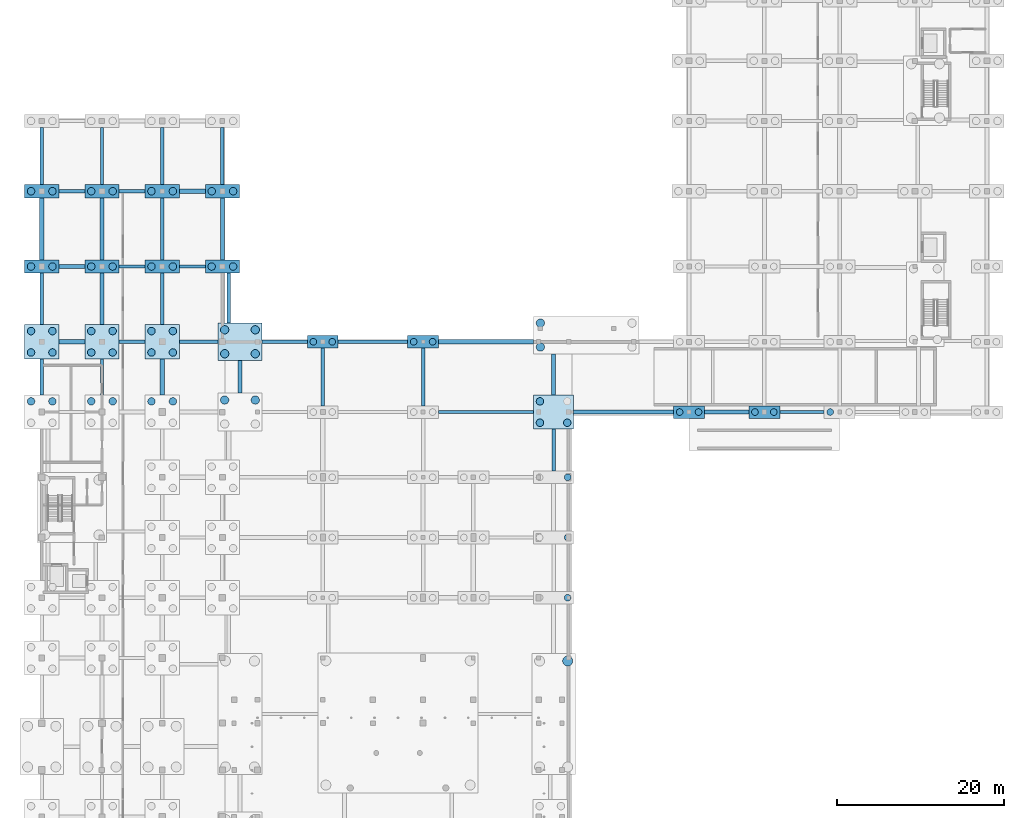
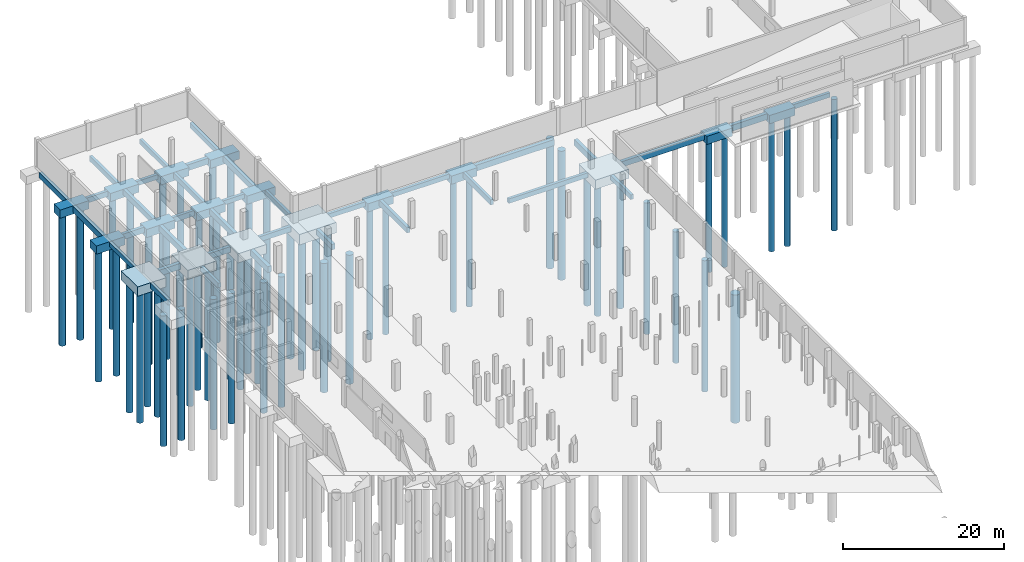
# One storey, part 4 of 34: 58 piles, 53 footings.
"""IFC4 building model written with IfcOpenShell, lengths in metres."""

import ifcopenshell
import ifcopenshell.guid

model = None  # the IFC model being written
_history = None  # IfcOwnerHistory: only IFC2X3 demands one
_inside = {}  # id of a spatial element -> (the spatial element, [elements in it])
_under = {}  # id of a project, library or spatial element -> (it, [spatial elements below it])
_declared = {}  # id of a project -> (the project, [libraries it declares])
_typed = {}  # id of a type object -> (the type object, [elements of that type])
_made_of = {}  # id of a material, layer set ... -> (it, [elements and type objects made of it])


def new_model(schema):
    """Start an empty IFC model of exactly this schema.

    Asked for "IFC4X3", IfcOpenShell would pick the latest addendum, in which some entities
    have other attributes; the version numbers below select the first issue.
    IFC2X3 requires an IfcOwnerHistory on every rooted entity: one is made here for all.
    """
    global model, _history
    if schema == "IFC4X3":
        model = ifcopenshell.file(schema_version=(4, 3, 0, 0))
    else:
        model = ifcopenshell.file(schema=schema)
    _inside.clear()
    _under.clear()
    _declared.clear()
    _typed.clear()
    _made_of.clear()
    _history = None
    if model.schema == "IFC2X3":
        org = make("IfcOrganization", Name="unknown")
        user = make(
            "IfcPersonAndOrganization",
            ThePerson=make("IfcPerson", FamilyName="unknown"),
            TheOrganization=org,
        )
        app = make(
            "IfcApplication",
            ApplicationDeveloper=org,
            Version="unknown",
            ApplicationFullName="unknown",
            ApplicationIdentifier="unknown",
        )
        _history = make(
            "IfcOwnerHistory",
            OwningUser=user,
            OwningApplication=app,
            ChangeAction="ADDED",
            CreationDate=0,
        )
    return model


def make(cls, **values):
    """One entity of the class cls with the attributes given. An attribute that is None is left unset."""
    return model.create_entity(
        cls, **{name: value for name, value in values.items() if value is not None}
    )


def rooted(cls, **values):
    """An entity with a GlobalId (a new one), such as an element, a storey or a relation."""
    return make(cls, GlobalId=ifcopenshell.guid.new(), OwnerHistory=_history, **values)


def si_unit(unit_type, name, prefix=None):
    """IfcSIUnit, for example si_unit("LENGTHUNIT", "METRE", prefix="MILLI")."""
    return make("IfcSIUnit", UnitType=unit_type, Prefix=prefix, Name=name)


def assignment(units):
    """IfcUnitAssignment: the units of a project."""
    return None if units is None else make("IfcUnitAssignment", Units=units)


def point(xyz):
    """IfcCartesianPoint."""
    return None if xyz is None else make("IfcCartesianPoint", Coordinates=xyz)


def direction(xyz):
    """IfcDirection."""
    return None if xyz is None else make("IfcDirection", DirectionRatios=xyz)


def frame(location, z_axis=None, x_axis=None):
    """IfcAxis2Placement3D, a coordinate frame: its origin and axes. An axis left out is left unset."""
    return make(
        "IfcAxis2Placement3D",
        Location=point(location),
        Axis=direction(z_axis),
        RefDirection=direction(x_axis),
    )


def frame_2d(location, x_axis=None):
    """IfcAxis2Placement2D, a coordinate frame in the plane: its origin and x axis."""
    return make(
        "IfcAxis2Placement2D", Location=point(location), RefDirection=direction(x_axis)
    )


def origin():
    """The frame at (0, 0, 0) with its axes left unset."""
    return frame((0.0, 0.0, 0.0))


def origin_2d():
    """The frame at (0, 0) in the plane with its x axis left unset."""
    return frame_2d((0.0, 0.0))


def place(relative_to, where):
    """IfcLocalPlacement: puts the frame where relative to a parent placement (None: the world)."""
    return make(
        "IfcLocalPlacement", PlacementRelTo=relative_to, RelativePlacement=where
    )


def context(
    kind, dimensions, precision=None, world=None, true_north=None, identifier=None
):
    """IfcGeometricRepresentationContext, for example the 3D "Model" context."""
    return make(
        "IfcGeometricRepresentationContext",
        ContextIdentifier=identifier,
        ContextType=kind,
        CoordinateSpaceDimension=dimensions,
        Precision=precision,
        WorldCoordinateSystem=world,
        TrueNorth=true_north,
    )


def subcontext(parent, identifier, kind, view, scale=None):
    """IfcGeometricRepresentationSubContext, for example "Body" below "Model"."""
    return make(
        "IfcGeometricRepresentationSubContext",
        ContextIdentifier=identifier,
        ContextType=kind,
        ParentContext=parent,
        TargetScale=scale,
        TargetView=view,
    )


def project(units=None, contexts=None):
    """IfcProject with its units and contexts."""
    return rooted(
        "IfcProject",
        Name="project",
        RepresentationContexts=contexts,
        UnitsInContext=assignment(units),
    )


def spatial(cls, under=None, at=None, **own):
    """A site, building, storey or space (cls), placed at a placement, below another one or the project."""
    s = rooted(cls, ObjectPlacement=at, **own)
    if under is not None:
        _under.setdefault(under.id(), (under, []))[1].append(s)
    return s


def profile(cls, at=None, kind="AREA", **sizes):
    """A parametric profile (cls). Its sizes go by their IFC names, for example OverallWidth=200.0."""
    return make(cls, ProfileType=kind, Position=at, **sizes)


def rectangle(**sizes):
    """IfcRectangleProfileDef."""
    return profile("IfcRectangleProfileDef", **sizes)


def circle(**sizes):
    """IfcCircleProfileDef."""
    return profile("IfcCircleProfileDef", **sizes)


def extrude(swept, where, along, depth):
    """IfcExtrudedAreaSolid: the profile swept, set in the frame where, extruded along a direction by depth."""
    return make(
        "IfcExtrudedAreaSolid",
        SweptArea=swept,
        Position=where,
        ExtrudedDirection=direction(along),
        Depth=depth,
    )


def shape(context_of_items, identifier, shape_type, items):
    """IfcShapeRepresentation: the items that make up one representation, for example the "Body"."""
    return make(
        "IfcShapeRepresentation",
        ContextOfItems=context_of_items,
        RepresentationIdentifier=identifier,
        RepresentationType=shape_type,
        Items=items,
    )


def material(Name=None, Category=None):
    """IfcMaterial."""
    return make("IfcMaterial", Name=Name, Category=Category)


def material_profile(
    of_material, cross_section, Name=None, Category=None, Priority=None
):
    """IfcMaterialProfile: a cross section and its material."""
    return make(
        "IfcMaterialProfile",
        Name=Name,
        Material=of_material,
        Profile=cross_section,
        Priority=Priority,
        Category=Category,
    )


def profile_set(profiles, Name=None, composite=None):
    """IfcMaterialProfileSet."""
    return make(
        "IfcMaterialProfileSet",
        Name=Name,
        MaterialProfiles=profiles,
        CompositeProfile=composite,
    )


def made_of(thing, what):
    """Note that an element or type object is made of a material, layer set ...; save() writes the relation."""
    if what is not None:
        _made_of.setdefault(what.id(), (what, []))[1].append(thing)
    return thing


def type_object(cls, material=None, **own):
    """A type object (cls), such as IfcWallType, which elements share."""
    return made_of(rooted(cls, **own), material)


def element(
    cls,
    number,
    at=None,
    inside=None,
    cuts=None,
    type_object=None,
    material=None,
    context=None,
    identifier="Body",
    shape_type=None,
    held_by="IfcProductDefinitionShape",
    body=None,
    shapes=None,
    **own,
):
    """One element of the class cls, such as IfcWall. Its Tag is "e" and its number.

    at: its placement. inside: the storey or other place that contains it. cuts: it is an
    opening in that element (IfcRelVoidsElement). A single representation is given by context,
    identifier, shape_type and body (its items); several are given by shapes. held_by: the class
    of the entity that holds the representations. save() writes the other relations.
    """
    e = rooted(cls, Tag="e%d" % number, ObjectPlacement=at, **own)
    if body is not None:
        shapes = [shape(context, identifier, shape_type, body)]
    if shapes is not None:
        e.Representation = make(held_by, Representations=shapes)
    if inside is not None:
        _inside.setdefault(inside.id(), (inside, []))[1].append(e)
    if cuts is not None:
        rooted(
            "IfcRelVoidsElement", RelatingBuildingElement=cuts, RelatedOpeningElement=e
        )
    if type_object is not None:
        _typed.setdefault(type_object.id(), (type_object, []))[1].append(e)
    return made_of(e, material)


def aggregate(whole, parts):
    """IfcRelAggregates: a whole, such as a stair, and the parts it consists of."""
    return rooted("IfcRelAggregates", RelatingObject=whole, RelatedObjects=parts)


def save(model, path):
    """Write the relations noted so far, then the file.

    IfcRelAggregates (storeys below a building ...), IfcRelContainedInSpatialStructure (elements
    in a storey), IfcRelDefinesByType, IfcRelAssociatesMaterial and IfcRelDeclares: one each for
    every whole, place, type object, material and project.
    """
    for whole, parts in _under.values():
        aggregate(whole, parts)
    for where, things in _inside.values():
        rooted(
            "IfcRelContainedInSpatialStructure",
            RelatedElements=things,
            RelatingStructure=where,
        )
    for kind, things in _typed.values():
        rooted("IfcRelDefinesByType", RelatedObjects=things, RelatingType=kind)
    for what, things in _made_of.values():
        rooted("IfcRelAssociatesMaterial", RelatedObjects=things, RelatingMaterial=what)
    for by, libraries in _declared.values():
        rooted("IfcRelDeclares", RelatingContext=by, RelatedDefinitions=libraries)
    model.write(path)


model = new_model("IFC4")

# Units and contexts
model_context = context("Model", 3, precision=1e-05, world=origin(), true_north=direction((0.0, 1.0)))
body_context = subcontext(model_context, "Body", "Model", "MODEL_VIEW")
ifc_project = project(units=[si_unit("LENGTHUNIT", "METRE"), si_unit("AREAUNIT", "SQUARE_METRE"), si_unit("VOLUMEUNIT", "CUBIC_METRE"), si_unit("PLANEANGLEUNIT", "RADIAN"), si_unit("MASSUNIT", "GRAM", prefix="KILO")], contexts=[model_context])

# Site, building, storey
site_placement = place(None, origin())
site = spatial("IfcSite", under=ifc_project, at=site_placement, CompositionType="ELEMENT")
building_placement = place(site_placement, origin())
building = spatial("IfcBuilding", under=site, at=building_placement, Name="Vinh Khe Railworks Police Headquarters", CompositionType="ELEMENT")
storey_placement = place(building_placement, frame((0.0, 0.0, -4.199951171875)))
storey = spatial("IfcBuildingStorey", under=building, at=storey_placement, Name="B1", CompositionType="ELEMENT", Elevation=-4.199951171875)

# Piles
ifc_material = material(Name="Concrete C35/45 (B35)", Category="concrete")
ifc_material_profile_1 = material_profile(ifc_material, circle(Radius=0.5, at=origin_2d()), Name="BORED PILE D1000")
ifc_profile_set_1 = profile_set([ifc_material_profile_1], Name="Concrete C35/45 (B35)")
pile_type_1 = type_object("IfcPileType", Name="Bored Pile D1000", PredefinedType="BORED", material=ifc_profile_set_1)
for number, where, z_axis, x_axis, name in (
    (1, (22.469970703125, 97.429931640625, -1.949951171875), (0.0, 0.0, -1.0), (1.0, 0.0, 0.0), "Bored Pile BP100-174"),
    (2, (26.1298828125, 97.429931640625, -1.949951171875), (0.0, 0.0, -1.0), (1.0, 0.0, 0.0), "Bored Pile BP100-176"),
    (3, (22.469970703125, 102.969970703125, -1.949951171875), (0.0, 0.0, -1.0), (1.0, 0.0, 0.0), "Bored Pile BP100-177"),
    (4, (22.469970703125, 105.830078125, -1.949951171875), (0.0, 0.0, -1.0), (1.0, 0.0, 0.0), "Bored Pile BP100-178"),
    (5, (26.1298828125, 102.969970703125, -1.949951171875), (0.0, 0.0, -1.0), (1.0, 0.0, 0.0), "Bored Pile BP100-179"),
    (6, (26.1298828125, 105.830078125, -1.949951171875), (0.0, 0.0, -1.0), (1.0, 0.0, 0.0), "Bored Pile BP100-180"),
    (7, (60.219970703125, 103.77001953125, -1.949951171875), (0.0, 0.0, -1.0), (1.0, 0.0, 0.0), "Bored Pile BP100-255"),
    (8, (60.219970703125, 106.6298828125, -1.949951171875), (0.0, 0.0, -1.0), (1.0, 0.0, 0.0), "Bored Pile BP100-256"),
):
    element("IfcPile", number, at=place(storey_placement, frame(where, z_axis=z_axis, x_axis=x_axis)), inside=storey, type_object=pile_type_1, Name=name, PredefinedType="BORED", context=body_context, shape_type="SweptSolid", body=[
        extrude(circle(Radius=0.5, at=origin_2d()), origin(), (0.0, 0.0, 1.0), 19.60009765625),
    ])
ifc_material_profile_2 = material_profile(ifc_material, circle(Radius=0.60009765625, at=origin_2d()), Name="BORED PILE D1200")
ifc_profile_set_2 = profile_set([ifc_material_profile_2], Name="Concrete C35/45 (B35)")
pile_type_2 = type_object("IfcPileType", Name="Bored Pile D1200", PredefinedType="BORED", material=ifc_profile_set_2)
pile_placement = place(storey_placement, frame((63.47998046875, 66.22998046875, -2.10009765625), z_axis=(0.0, 0.0, -1.0), x_axis=(1.0, 0.0, 0.0)))
element("IfcPile", 9, at=pile_placement, inside=storey, type_object=pile_type_2, Name="Bored Pile BP120-244", PredefinedType="BORED", context=body_context, shape_type="SweptSolid", body=[
    extrude(circle(Radius=0.60009765625, at=origin_2d()), origin(), (0.0, 0.0, 1.0), 19.449951171875),
])
ifc_material_profile_3 = material_profile(ifc_material, circle(Radius=0.39990234375, at=origin_2d()), Name="BORED PILE D800")
ifc_profile_set_3 = profile_set([ifc_material_profile_3], Name="Concrete C35/45 (B35)")
pile_type_3 = type_object("IfcPileType", Name="Bored Pile D800", PredefinedType="BORED", material=ifc_profile_set_3)
for number, where, z_axis, x_axis, name in (
    (10, (33.070068359375, 104.39990234375, -1.60009765625), (0.0, 0.0, -1.0), (1.0, 0.0, 0.0), "Bored Pile BP80-205"),
    (11, (35.330078125, 104.39990234375, -1.60009765625), (0.0, 0.0, -1.0), (1.0, 0.0, 0.0), "Bored Pile BP80-206"),
    (12, (45.070068359375, 104.39990234375, -1.60009765625), (0.0, 0.0, -1.0), (1.0, 0.0, 0.0), "Bored Pile BP80-221"),
    (13, (47.330078125, 104.39990234375, -1.60009765625), (0.0, 0.0, -1.0), (1.0, 0.0, 0.0), "Bored Pile BP80-222"),
    (14, (63.47998046875, 73.800048828125, -1.60009765625), (0.0, 0.0, -1.0), (1.0, 0.0, 0.0), "Bored Pile BP80-246"),
    (15, (63.47998046875, 81.0, -1.60009765625), (0.0, 0.0, -1.0), (1.0, 0.0, 0.0), "Bored Pile BP80-248"),
    (16, (63.47998046875, 88.199951171875, -1.60009765625), (0.0, 0.0, -1.0), (1.0, 0.0, 0.0), "Bored Pile BP80-250"),
    (17, (76.8701171875, 96.0, -1.60009765625), (0.0, 0.0, -1.0), (1.0, 0.0, 0.0), "Bored Pile BP80-259"),
    (18, (79.1298828125, 96.0, -1.60009765625), (0.0, 0.0, -1.0), (1.0, 0.0, 0.0), "Bored Pile BP80-260"),
    (19, (85.8701171875, 96.0, -1.60009765625), (0.0, 0.0, -1.0), (1.0, 0.0, 0.0), "Bored Pile BP80-279"),
    (20, (88.1298828125, 96.0, -1.60009765625), (0.0, 0.0, -1.0), (1.0, 0.0, 0.0), "Bored Pile BP80-280"),
    (21, (94.8701171875, 96.0, -1.60009765625), (0.0, 0.0, -1.0), (1.0, 0.0, 0.0), "Bored Pile BP80-299"),
):
    element("IfcPile", number, at=place(storey_placement, frame(where, z_axis=z_axis, x_axis=x_axis)), inside=storey, type_object=pile_type_3, Name=name, PredefinedType="BORED", context=body_context, shape_type="SweptSolid", body=[
        extrude(circle(Radius=0.39990234375, at=origin_2d()), origin(), (0.0, 0.0, 1.0), 19.949951171875),
    ])
ifc_material_profile_4 = material_profile(ifc_material, circle(Radius=0.449951171875, at=origin_2d()), Name="BORED PILE D900")
ifc_profile_set_4 = profile_set([ifc_material_profile_4], Name="Concrete C35/45 (B35)")
pile_type_4 = type_object("IfcPileType", Name="Bored Pile D900", PredefinedType="BORED", material=ifc_profile_set_4)
for number, where, z_axis, x_axis, name in (
    (22, (-0.679931640625, 97.280029296875, -1.75), (0.0, 0.0, -1.0), (1.0, 0.0, 0.0), "Bored Pile BP90-036"),
    (23, (1.8798828125, 97.280029296875, -1.75), (0.0, 0.0, -1.0), (1.0, 0.0, 0.0), "Bored Pile BP90-038"),
    (24, (-0.679931640625, 103.1201171875, -1.75), (0.0, 0.0, -1.0), (1.0, 0.0, 0.0), "Bored Pile BP90-039"),
    (25, (-0.679931640625, 105.679931640625, -1.75), (0.0, 0.0, -1.0), (1.0, 0.0, 0.0), "Bored Pile BP90-040"),
    (26, (1.8798828125, 103.1201171875, -1.75), (0.0, 0.0, -1.0), (1.0, 0.0, 0.0), "Bored Pile BP90-041"),
    (27, (1.8798828125, 105.679931640625, -1.75), (0.0, 0.0, -1.0), (1.0, 0.0, 0.0), "Bored Pile BP90-042"),
):
    element("IfcPile", number, at=place(storey_placement, frame(where, z_axis=z_axis, x_axis=x_axis)), inside=storey, type_object=pile_type_4, Name=name, PredefinedType="BORED", context=body_context, shape_type="SweptSolid", body=[
        extrude(circle(Radius=0.449951171875, at=origin_2d()), origin(), (0.0, 0.0, 1.0), 19.800048828125),
    ])
for number, where, z_axis, x_axis, name in (
    (28, (-0.679931640625, 113.39990234375, -1.60009765625), (0.0, 0.0, -1.0), (1.0, 0.0, 0.0), "Bored Pile BP90-043"),
    (29, (1.8798828125, 113.39990234375, -1.60009765625), (0.0, 0.0, -1.0), (1.0, 0.0, 0.0), "Bored Pile BP90-044"),
    (30, (-0.679931640625, 122.39990234375, -1.60009765625), (0.0, 0.0, -1.0), (1.0, 0.0, 0.0), "Bored Pile BP90-045"),
    (31, (1.8798828125, 122.39990234375, -1.60009765625), (0.0, 0.0, -1.0), (1.0, 0.0, 0.0), "Bored Pile BP90-046"),
):
    element("IfcPile", number, at=place(storey_placement, frame(where, z_axis=z_axis, x_axis=x_axis)), inside=storey, type_object=pile_type_4, Name=name, PredefinedType="BORED", context=body_context, shape_type="SweptSolid", body=[
        extrude(circle(Radius=0.449951171875, at=origin_2d()), origin(), (0.0, 0.0, 1.0), 19.949951171875),
    ])
for number, where, z_axis, x_axis, name in (
    (32, (6.52001953125, 97.280029296875, -1.75), (0.0, 0.0, -1.0), (1.0, 0.0, 0.0), "Bored Pile BP90-076"),
    (33, (9.080078125, 97.280029296875, -1.75), (0.0, 0.0, -1.0), (1.0, 0.0, 0.0), "Bored Pile BP90-078"),
    (34, (6.52001953125, 103.1201171875, -1.75), (0.0, 0.0, -1.0), (1.0, 0.0, 0.0), "Bored Pile BP90-079"),
    (35, (6.52001953125, 105.679931640625, -1.75), (0.0, 0.0, -1.0), (1.0, 0.0, 0.0), "Bored Pile BP90-080"),
    (36, (9.080078125, 103.1201171875, -1.75), (0.0, 0.0, -1.0), (1.0, 0.0, 0.0), "Bored Pile BP90-081"),
    (37, (9.080078125, 105.679931640625, -1.75), (0.0, 0.0, -1.0), (1.0, 0.0, 0.0), "Bored Pile BP90-082"),
):
    element("IfcPile", number, at=place(storey_placement, frame(where, z_axis=z_axis, x_axis=x_axis)), inside=storey, type_object=pile_type_4, Name=name, PredefinedType="BORED", context=body_context, shape_type="SweptSolid", body=[
        extrude(circle(Radius=0.449951171875, at=origin_2d()), origin(), (0.0, 0.0, 1.0), 19.800048828125),
    ])
for number, where, z_axis, x_axis, name in (
    (38, (6.52001953125, 113.39990234375, -1.60009765625), (0.0, 0.0, -1.0), (1.0, 0.0, 0.0), "Bored Pile BP90-083"),
    (39, (9.080078125, 113.39990234375, -1.60009765625), (0.0, 0.0, -1.0), (1.0, 0.0, 0.0), "Bored Pile BP90-084"),
    (40, (6.52001953125, 122.39990234375, -1.60009765625), (0.0, 0.0, -1.0), (1.0, 0.0, 0.0), "Bored Pile BP90-085"),
    (41, (9.080078125, 122.39990234375, -1.60009765625), (0.0, 0.0, -1.0), (1.0, 0.0, 0.0), "Bored Pile BP90-086"),
):
    element("IfcPile", number, at=place(storey_placement, frame(where, z_axis=z_axis, x_axis=x_axis)), inside=storey, type_object=pile_type_4, Name=name, PredefinedType="BORED", context=body_context, shape_type="SweptSolid", body=[
        extrude(circle(Radius=0.449951171875, at=origin_2d()), origin(), (0.0, 0.0, 1.0), 19.949951171875),
    ])
for number, where, z_axis, x_axis, name in (
    (42, (13.719970703125, 97.280029296875, -1.75), (0.0, 0.0, -1.0), (1.0, 0.0, 0.0), "Bored Pile BP90-132"),
    (43, (16.280029296875, 97.280029296875, -1.75), (0.0, 0.0, -1.0), (1.0, 0.0, 0.0), "Bored Pile BP90-134"),
    (44, (13.719970703125, 103.1201171875, -1.75), (0.0, 0.0, -1.0), (1.0, 0.0, 0.0), "Bored Pile BP90-135"),
    (45, (13.719970703125, 105.679931640625, -1.75), (0.0, 0.0, -1.0), (1.0, 0.0, 0.0), "Bored Pile BP90-136"),
    (46, (16.280029296875, 103.1201171875, -1.75), (0.0, 0.0, -1.0), (1.0, 0.0, 0.0), "Bored Pile BP90-137"),
    (47, (16.280029296875, 105.679931640625, -1.75), (0.0, 0.0, -1.0), (1.0, 0.0, 0.0), "Bored Pile BP90-138"),
):
    element("IfcPile", number, at=place(storey_placement, frame(where, z_axis=z_axis, x_axis=x_axis)), inside=storey, type_object=pile_type_4, Name=name, PredefinedType="BORED", context=body_context, shape_type="SweptSolid", body=[
        extrude(circle(Radius=0.449951171875, at=origin_2d()), origin(), (0.0, 0.0, 1.0), 19.800048828125),
    ])
for number, where, z_axis, x_axis, name in (
    (48, (13.719970703125, 113.39990234375, -1.60009765625), (0.0, 0.0, -1.0), (1.0, 0.0, 0.0), "Bored Pile BP90-139"),
    (49, (16.280029296875, 113.39990234375, -1.60009765625), (0.0, 0.0, -1.0), (1.0, 0.0, 0.0), "Bored Pile BP90-140"),
    (50, (13.719970703125, 122.39990234375, -1.60009765625), (0.0, 0.0, -1.0), (1.0, 0.0, 0.0), "Bored Pile BP90-141"),
    (51, (16.280029296875, 122.39990234375, -1.60009765625), (0.0, 0.0, -1.0), (1.0, 0.0, 0.0), "Bored Pile BP90-142"),
    (52, (20.919921875, 113.39990234375, -1.60009765625), (0.0, 0.0, -1.0), (1.0, 0.0, 0.0), "Bored Pile BP90-181"),
    (53, (23.47998046875, 113.39990234375, -1.60009765625), (0.0, 0.0, -1.0), (1.0, 0.0, 0.0), "Bored Pile BP90-182"),
    (54, (20.919921875, 122.39990234375, -1.60009765625), (0.0, 0.0, -1.0), (1.0, 0.0, 0.0), "Bored Pile BP90-183"),
    (55, (23.47998046875, 122.39990234375, -1.60009765625), (0.0, 0.0, -1.0), (1.0, 0.0, 0.0), "Bored Pile BP90-184"),
):
    element("IfcPile", number, at=place(storey_placement, frame(where, z_axis=z_axis, x_axis=x_axis)), inside=storey, type_object=pile_type_4, Name=name, PredefinedType="BORED", context=body_context, shape_type="SweptSolid", body=[
        extrude(circle(Radius=0.449951171875, at=origin_2d()), origin(), (0.0, 0.0, 1.0), 19.949951171875),
    ])
for number, where, z_axis, x_axis, name in (
    (56, (60.169921875, 94.719970703125, -1.75), (0.0, 0.0, -1.0), (1.0, 0.0, 0.0), "Bored Pile BP90-251"),
    (57, (60.169921875, 97.280029296875, -1.75), (0.0, 0.0, -1.0), (1.0, 0.0, 0.0), "Bored Pile BP90-252"),
    (58, (63.429931640625, 94.719970703125, -1.75), (0.0, 0.0, -1.0), (1.0, 0.0, 0.0), "Bored Pile BP90-253"),
):
    element("IfcPile", number, at=place(storey_placement, frame(where, z_axis=z_axis, x_axis=x_axis)), inside=storey, type_object=pile_type_4, Name=name, PredefinedType="BORED", context=body_context, shape_type="SweptSolid", body=[
        extrude(circle(Radius=0.449951171875, at=origin_2d()), origin(), (0.0, 0.0, 1.0), 19.800048828125),
    ])

# Footings
ifc_material_profile_5 = material_profile(ifc_material, rectangle(XDim=0.39990234375, YDim=0.699951171875, at=origin_2d()), Name="RC 400x700")
ifc_profile_set_5 = profile_set([ifc_material_profile_5], Name="Concrete C35/45 (B35)")
footing_type_1 = type_object("IfcFootingType", Name="Ground Tie Beam 400x700", PredefinedType="FOOTING_BEAM", material=ifc_profile_set_5)
footing_1_placement = place(storey_placement, frame((0.60009765625, 106.449951171875, -0.800048828125), z_axis=(0.0, 1.0, 0.0), x_axis=(-1.0, 0.0, 0.0)))
element("IfcFooting", 59, at=footing_1_placement, inside=storey, type_object=footing_type_1, Name="Ground Tie Beam FTG-GB-B1-Y022", PredefinedType="FOOTING_BEAM", context=body_context, shape_type="SweptSolid", body=[
    extrude(rectangle(XDim=0.39990234375, YDim=0.699951171875, at=origin_2d()), origin(), (0.0, 0.0, 1.0), 6.150146484375),
])
footing_2_placement = place(storey_placement, frame((7.800048828125, 98.050048828125, -0.800048828125), z_axis=(0.0, 1.0, 0.0), x_axis=(-1.0, 0.0, 0.0)))
element("IfcFooting", 60, at=footing_2_placement, inside=storey, type_object=footing_type_1, Name="Ground Tie Beam FTG-GB-B1-Y043", PredefinedType="FOOTING_BEAM", context=body_context, shape_type="SweptSolid", body=[
    extrude(rectangle(XDim=0.39990234375, YDim=0.699951171875, at=origin_2d()), origin(), (0.0, 0.0, 1.0), 4.300048828125),
])
for number, where, z_axis, x_axis, name in (
    (61, (9.85009765625, 122.39990234375, -0.800048828125), (1.0, 0.0, 0.0), (0.0, 1.0, 0.0), "Ground Tie Beam FTG-GB-B1-X048"),
    (62, (17.050048828125, 113.39990234375, -0.800048828125), (1.0, 0.0, 0.0), (0.0, 1.0, 0.0), "Ground Tie Beam FTG-GB-B1-X077"),
):
    element("IfcFooting", number, at=place(storey_placement, frame(where, z_axis=z_axis, x_axis=x_axis)), inside=storey, type_object=footing_type_1, Name=name, PredefinedType="FOOTING_BEAM", context=body_context, shape_type="SweptSolid", body=[
        extrude(rectangle(XDim=0.39990234375, YDim=0.699951171875, at=origin_2d()), origin(), (0.0, 0.0, 1.0), 3.099853515625),
    ])
footing_3_placement = place(storey_placement, frame((15.0, 123.199951171875, -0.800048828125), z_axis=(0.0, 1.0, 0.0), x_axis=(-1.0, 0.0, 0.0)))
element("IfcFooting", 63, at=footing_3_placement, inside=storey, type_object=footing_type_1, Name="Ground Tie Beam FTG-GB-B1-Y080", PredefinedType="FOOTING_BEAM", context=body_context, shape_type="SweptSolid", body=[
    extrude(rectangle(XDim=0.39990234375, YDim=0.699951171875, at=origin_2d()), origin(), (0.0, 0.0, 1.0), 6.800048828125),
])
footing_4_placement = place(storey_placement, frame((26.949951171875, 104.39990234375, -0.800048828125), z_axis=(1.0, 0.0, 0.0), x_axis=(0.0, 1.0, 0.0)))
element("IfcFooting", 64, at=footing_4_placement, inside=storey, type_object=footing_type_1, Name="Ground Tie Beam FTG-GB-B1-X098", PredefinedType="FOOTING_BEAM", context=body_context, shape_type="SweptSolid", body=[
    extrude(rectangle(XDim=0.39990234375, YDim=0.699951171875, at=origin_2d()), origin(), (0.0, 0.0, 1.0), 5.400146484375),
])
footing_5_placement = place(storey_placement, frame((36.050048828125, 104.39990234375, -0.800048828125), z_axis=(1.0, 0.0, 0.0), x_axis=(0.0, 1.0, 0.0)))
element("IfcFooting", 65, at=footing_5_placement, inside=storey, type_object=footing_type_1, Name="Ground Tie Beam FTG-GB-B1-X115", PredefinedType="FOOTING_BEAM", context=body_context, shape_type="SweptSolid", body=[
    extrude(rectangle(XDim=0.39990234375, YDim=0.699951171875, at=origin_2d()), origin(), (0.0, 0.0, 1.0), 8.300048828125),
])
footing_6_placement = place(storey_placement, frame((48.050048828125, 96.0, -0.800048828125), z_axis=(1.0, 0.0, 0.0), x_axis=(0.0, 1.0, 0.0)))
element("IfcFooting", 66, at=footing_6_placement, inside=storey, type_object=footing_type_1, Name="Ground Tie Beam FTG-GB-B1-X128", PredefinedType="FOOTING_BEAM", context=body_context, shape_type="SweptSolid", body=[
    extrude(rectangle(XDim=0.39990234375, YDim=0.699951171875, at=origin_2d()), origin(), (0.0, 0.0, 1.0), 11.349853515625),
])
footing_7_placement = place(storey_placement, frame((61.800048828125, 88.949951171875, -0.800048828125), z_axis=(0.0, 1.0, 0.0), x_axis=(-1.0, 0.0, 0.0)))
element("IfcFooting", 67, at=footing_7_placement, inside=storey, type_object=footing_type_1, Name="Ground Tie Beam FTG-GB-B1-Y144", PredefinedType="FOOTING_BEAM", context=body_context, shape_type="SweptSolid", body=[
    extrude(rectangle(XDim=0.39990234375, YDim=0.699951171875, at=origin_2d()), origin(), (0.0, 0.0, 1.0), 5.0),
])
footing_8_placement = place(storey_placement, frame((88.85009765625, 96.0, -0.800048828125), z_axis=(1.0, 0.0, 0.0), x_axis=(0.0, 1.0, 0.0)))
element("IfcFooting", 68, at=footing_8_placement, inside=storey, type_object=footing_type_1, Name="Ground Tie Beam FTG-GB-B1-X167", PredefinedType="FOOTING_BEAM", context=body_context, shape_type="SweptSolid", body=[
    extrude(rectangle(XDim=0.39990234375, YDim=0.699951171875, at=origin_2d()), origin(), (0.0, 0.0, 1.0), 5.2998046875),
])
ifc_material_profile_6 = material_profile(ifc_material, rectangle(XDim=0.39990234375, YDim=0.800048828125, at=origin_2d()), Name="RC 400x800")
ifc_profile_set_6 = profile_set([ifc_material_profile_6], Name="Concrete C35/45 (B35)")
footing_type_2 = type_object("IfcFootingType", Name="Ground Tie Beam 400x800", PredefinedType="FOOTING_BEAM", material=ifc_profile_set_6)
footing_9_placement = place(storey_placement, frame((0.60009765625, 98.050048828125, -0.85009765625), z_axis=(0.0, 1.0, 0.0), x_axis=(-1.0, 0.0, 0.0)))
element("IfcFooting", 69, at=footing_9_placement, inside=storey, type_object=footing_type_2, Name="Ground Tie Beam FTG-GB-B1-Y020", PredefinedType="FOOTING_BEAM", context=body_context, shape_type="SweptSolid", body=[
    extrude(rectangle(XDim=0.39990234375, YDim=0.800048828125, at=origin_2d()), origin(), (0.0, 0.0, 1.0), 4.300048828125),
])
footing_10_placement = place(storey_placement, frame((2.64990234375, 122.39990234375, -0.85009765625), z_axis=(1.0, 0.0, 0.0), x_axis=(0.0, 1.0, 0.0)))
element("IfcFooting", 70, at=footing_10_placement, inside=storey, type_object=footing_type_2, Name="Ground Tie Beam FTG-GB-B1-X025", PredefinedType="FOOTING_BEAM", context=body_context, shape_type="SweptSolid", body=[
    extrude(rectangle(XDim=0.39990234375, YDim=0.800048828125, at=origin_2d()), origin(), (0.0, 0.0, 1.0), 3.10009765625),
])
footing_11_placement = place(storey_placement, frame((9.85009765625, 113.39990234375, -0.85009765625), z_axis=(1.0, 0.0, 0.0), x_axis=(0.0, 1.0, 0.0)))
element("IfcFooting", 71, at=footing_11_placement, inside=storey, type_object=footing_type_2, Name="Ground Tie Beam FTG-GB-B1-X046", PredefinedType="FOOTING_BEAM", context=body_context, shape_type="SweptSolid", body=[
    extrude(rectangle(XDim=0.39990234375, YDim=0.800048828125, at=origin_2d()), origin(), (0.0, 0.0, 1.0), 3.099853515625),
])
footing_12_placement = place(storey_placement, frame((7.800048828125, 123.199951171875, -0.85009765625), z_axis=(0.0, 1.0, 0.0), x_axis=(-1.0, 0.0, 0.0)))
element("IfcFooting", 72, at=footing_12_placement, inside=storey, type_object=footing_type_2, Name="Ground Tie Beam FTG-GB-B1-Y049", PredefinedType="FOOTING_BEAM", context=body_context, shape_type="SweptSolid", body=[
    extrude(rectangle(XDim=0.39990234375, YDim=0.800048828125, at=origin_2d()), origin(), (0.0, 0.0, 1.0), 6.800048828125),
])
footing_13_placement = place(storey_placement, frame((17.050048828125, 104.39990234375, -0.85009765625), z_axis=(1.0, 0.0, 0.0), x_axis=(0.0, 1.0, 0.0)))
element("IfcFooting", 73, at=footing_13_placement, inside=storey, type_object=footing_type_2, Name="Ground Tie Beam FTG-GB-B1-X075", PredefinedType="FOOTING_BEAM", context=body_context, shape_type="SweptSolid", body=[
    extrude(rectangle(XDim=0.39990234375, YDim=0.800048828125, at=origin_2d()), origin(), (0.0, 0.0, 1.0), 4.599853515625),
])
footing_14_placement = place(storey_placement, frame((15.0, 114.199951171875, -0.85009765625), z_axis=(0.0, 1.0, 0.0), x_axis=(-1.0, 0.0, 0.0)))
element("IfcFooting", 74, at=footing_14_placement, inside=storey, type_object=footing_type_2, Name="Ground Tie Beam FTG-GB-B1-Y078", PredefinedType="FOOTING_BEAM", context=body_context, shape_type="SweptSolid", body=[
    extrude(rectangle(XDim=0.39990234375, YDim=0.800048828125, at=origin_2d()), origin(), (0.0, 0.0, 1.0), 7.400146484375),
])
footing_15_placement = place(storey_placement, frame((22.949951171875, 106.64990234375, -0.85009765625), z_axis=(0.0, 1.0, 0.0), x_axis=(-1.0, 0.0, 0.0)))
element("IfcFooting", 75, at=footing_15_placement, inside=storey, type_object=footing_type_2, Name="Ground Tie Beam FTG-GB-B1-Y099", PredefinedType="FOOTING_BEAM", context=body_context, shape_type="SweptSolid", body=[
    extrude(rectangle(XDim=0.39990234375, YDim=0.800048828125, at=origin_2d()), origin(), (0.0, 0.0, 1.0), 5.9501953125),
])
footing_16_placement = place(storey_placement, frame((22.199951171875, 123.199951171875, -0.85009765625), z_axis=(0.0, 1.0, 0.0), x_axis=(-1.0, 0.0, 0.0)))
element("IfcFooting", 76, at=footing_16_placement, inside=storey, type_object=footing_type_2, Name="Ground Tie Beam FTG-GB-B1-Y101", PredefinedType="FOOTING_BEAM", context=body_context, shape_type="SweptSolid", body=[
    extrude(rectangle(XDim=0.39990234375, YDim=0.800048828125, at=origin_2d()), origin(), (0.0, 0.0, 1.0), 6.800048828125),
])
footing_17_placement = place(storey_placement, frame((46.199951171875, 96.75, -0.85009765625), z_axis=(0.0, 1.0, 0.0), x_axis=(-1.0, 0.0, 0.0)))
element("IfcFooting", 77, at=footing_17_placement, inside=storey, type_object=footing_type_2, Name="Ground Tie Beam FTG-GB-B1-Y129", PredefinedType="FOOTING_BEAM", context=body_context, shape_type="SweptSolid", body=[
    extrude(rectangle(XDim=0.39990234375, YDim=0.800048828125, at=origin_2d()), origin(), (0.0, 0.0, 1.0), 6.89990234375),
])
ifc_material_profile_7 = material_profile(ifc_material, rectangle(XDim=0.449951171875, YDim=0.85009765625, at=origin_2d()), Name="RC 450x850")
ifc_profile_set_7 = profile_set([ifc_material_profile_7], Name="Concrete C35/45 (B35)")
footing_type_3 = type_object("IfcFootingType", Name="Ground Tie Beam 450x850", PredefinedType="FOOTING_BEAM", material=ifc_profile_set_7)
footing_18_placement = place(storey_placement, frame((2.64990234375, 113.39990234375, -0.875), z_axis=(1.0, 0.0, 0.0), x_axis=(0.0, 1.0, 0.0)))
element("IfcFooting", 78, at=footing_18_placement, inside=storey, type_object=footing_type_3, Name="Ground Tie Beam FTG-GB-B1-X023", PredefinedType="FOOTING_BEAM", context=body_context, shape_type="SweptSolid", body=[
    extrude(rectangle(XDim=0.449951171875, YDim=0.85009765625, at=origin_2d()), origin(), (0.0, 0.0, 1.0), 3.10009765625),
])
footing_19_placement = place(storey_placement, frame((0.60009765625, 123.199951171875, -0.875), z_axis=(0.0, 1.0, 0.0), x_axis=(-1.0, 0.0, 0.0)))
element("IfcFooting", 79, at=footing_19_placement, inside=storey, type_object=footing_type_3, Name="Ground Tie Beam FTG-GB-B1-Y026", PredefinedType="FOOTING_BEAM", context=body_context, shape_type="SweptSolid", body=[
    extrude(rectangle(XDim=0.449951171875, YDim=0.85009765625, at=origin_2d()), origin(), (0.0, 0.0, 1.0), 6.800048828125),
])
footing_20_placement = place(storey_placement, frame((9.85009765625, 104.39990234375, -0.875), z_axis=(1.0, 0.0, 0.0), x_axis=(0.0, 1.0, 0.0)))
element("IfcFooting", 80, at=footing_20_placement, inside=storey, type_object=footing_type_3, Name="Ground Tie Beam FTG-GB-B1-X044", PredefinedType="FOOTING_BEAM", context=body_context, shape_type="SweptSolid", body=[
    extrude(rectangle(XDim=0.449951171875, YDim=0.85009765625, at=origin_2d()), origin(), (0.0, 0.0, 1.0), 3.099853515625),
])
footing_21_placement = place(storey_placement, frame((7.800048828125, 114.199951171875, -0.875), z_axis=(0.0, 1.0, 0.0), x_axis=(-1.0, 0.0, 0.0)))
element("IfcFooting", 81, at=footing_21_placement, inside=storey, type_object=footing_type_3, Name="Ground Tie Beam FTG-GB-B1-Y047", PredefinedType="FOOTING_BEAM", context=body_context, shape_type="SweptSolid", body=[
    extrude(rectangle(XDim=0.449951171875, YDim=0.85009765625, at=origin_2d()), origin(), (0.0, 0.0, 1.0), 7.400146484375),
])
footing_22_placement = place(storey_placement, frame((15.0, 106.449951171875, -0.875), z_axis=(0.0, 1.0, 0.0), x_axis=(-1.0, 0.0, 0.0)))
element("IfcFooting", 82, at=footing_22_placement, inside=storey, type_object=footing_type_3, Name="Ground Tie Beam FTG-GB-B1-Y076", PredefinedType="FOOTING_BEAM", context=body_context, shape_type="SweptSolid", body=[
    extrude(rectangle(XDim=0.449951171875, YDim=0.85009765625, at=origin_2d()), origin(), (0.0, 0.0, 1.0), 6.150146484375),
])
footing_23_placement = place(storey_placement, frame((24.300048828125, 98.25, -0.875), z_axis=(0.0, 1.0, 0.0), x_axis=(-1.0, 0.0, 0.0)))
element("IfcFooting", 83, at=footing_23_placement, inside=storey, type_object=footing_type_3, Name="Ground Tie Beam FTG-GB-B1-Y097", PredefinedType="FOOTING_BEAM", context=body_context, shape_type="SweptSolid", body=[
    extrude(rectangle(XDim=0.449951171875, YDim=0.85009765625, at=origin_2d()), origin(), (0.0, 0.0, 1.0), 3.89990234375),
])
footing_24_placement = place(storey_placement, frame((34.199951171875, 96.75, -0.875), z_axis=(0.0, 1.0, 0.0), x_axis=(-1.0, 0.0, 0.0)))
element("IfcFooting", 84, at=footing_24_placement, inside=storey, type_object=footing_type_3, Name="Ground Tie Beam FTG-GB-B1-Y114", PredefinedType="FOOTING_BEAM", context=body_context, shape_type="SweptSolid", body=[
    extrude(rectangle(XDim=0.449951171875, YDim=0.85009765625, at=origin_2d()), origin(), (0.0, 0.0, 1.0), 6.89990234375),
])
footing_25_placement = place(storey_placement, frame((64.199951171875, 96.0, -0.875), z_axis=(1.0, 0.0, 0.0), x_axis=(0.0, 1.0, 0.0)))
element("IfcFooting", 85, at=footing_25_placement, inside=storey, type_object=footing_type_3, Name="Ground Tie Beam FTG-GB-B1-X145", PredefinedType="FOOTING_BEAM", context=body_context, shape_type="SweptSolid", body=[
    extrude(rectangle(XDim=0.449951171875, YDim=0.85009765625, at=origin_2d()), origin(), (0.0, 0.0, 1.0), 11.949951171875),
])
ifc_material_profile_8 = material_profile(ifc_material, rectangle(XDim=0.5, YDim=0.89990234375, at=origin_2d()), Name="RC 500x900")
ifc_profile_set_8 = profile_set([ifc_material_profile_8], Name="Concrete C35/45 (B35)")
footing_type_4 = type_object("IfcFootingType", Name="Ground Tie Beam 500x900", PredefinedType="FOOTING_BEAM", material=ifc_profile_set_8)
footing_26_placement = place(storey_placement, frame((2.64990234375, 104.39990234375, -0.900146484375), z_axis=(1.0, 0.0, 0.0), x_axis=(0.0, 1.0, 0.0)))
element("IfcFooting", 86, at=footing_26_placement, inside=storey, type_object=footing_type_4, Name="Ground Tie Beam FTG-GB-B1-X021", PredefinedType="FOOTING_BEAM", context=body_context, shape_type="SweptSolid", body=[
    extrude(rectangle(XDim=0.5, YDim=0.89990234375, at=origin_2d()), origin(), (0.0, 0.0, 1.0), 3.10009765625),
])
footing_27_placement = place(storey_placement, frame((0.60009765625, 114.199951171875, -0.900146484375), z_axis=(0.0, 1.0, 0.0), x_axis=(-1.0, 0.0, 0.0)))
element("IfcFooting", 87, at=footing_27_placement, inside=storey, type_object=footing_type_4, Name="Ground Tie Beam FTG-GB-B1-Y024", PredefinedType="FOOTING_BEAM", context=body_context, shape_type="SweptSolid", body=[
    extrude(rectangle(XDim=0.5, YDim=0.89990234375, at=origin_2d()), origin(), (0.0, 0.0, 1.0), 7.400146484375),
])
footing_28_placement = place(storey_placement, frame((7.800048828125, 106.449951171875, -0.900146484375), z_axis=(0.0, 1.0, 0.0), x_axis=(-1.0, 0.0, 0.0)))
element("IfcFooting", 88, at=footing_28_placement, inside=storey, type_object=footing_type_4, Name="Ground Tie Beam FTG-GB-B1-Y045", PredefinedType="FOOTING_BEAM", context=body_context, shape_type="SweptSolid", body=[
    extrude(rectangle(XDim=0.5, YDim=0.89990234375, at=origin_2d()), origin(), (0.0, 0.0, 1.0), 6.150146484375),
])
footing_29_placement = place(storey_placement, frame((15.0, 98.050048828125, -0.900146484375), z_axis=(0.0, 1.0, 0.0), x_axis=(-1.0, 0.0, 0.0)))
element("IfcFooting", 89, at=footing_29_placement, inside=storey, type_object=footing_type_4, Name="Ground Tie Beam FTG-GB-B1-Y074", PredefinedType="FOOTING_BEAM", context=body_context, shape_type="SweptSolid", body=[
    extrude(rectangle(XDim=0.5, YDim=0.89990234375, at=origin_2d()), origin(), (0.0, 0.0, 1.0), 4.300048828125),
])
footing_30_placement = place(storey_placement, frame((17.050048828125, 122.39990234375, -0.900146484375), z_axis=(1.0, 0.0, 0.0), x_axis=(0.0, 1.0, 0.0)))
element("IfcFooting", 90, at=footing_30_placement, inside=storey, type_object=footing_type_4, Name="Ground Tie Beam FTG-GB-B1-X079", PredefinedType="FOOTING_BEAM", context=body_context, shape_type="SweptSolid", body=[
    extrude(rectangle(XDim=0.5, YDim=0.89990234375, at=origin_2d()), origin(), (0.0, 0.0, 1.0), 3.099853515625),
])
footing_31_placement = place(storey_placement, frame((22.199951171875, 114.199951171875, -0.900146484375), z_axis=(0.0, 1.0, 0.0), x_axis=(-1.0, 0.0, 0.0)))
element("IfcFooting", 91, at=footing_31_placement, inside=storey, type_object=footing_type_4, Name="Ground Tie Beam FTG-GB-B1-Y100", PredefinedType="FOOTING_BEAM", context=body_context, shape_type="SweptSolid", body=[
    extrude(rectangle(XDim=0.5, YDim=0.89990234375, at=origin_2d()), origin(), (0.0, 0.0, 1.0), 7.400146484375),
])
footing_32_placement = place(storey_placement, frame((48.050048828125, 104.39990234375, -0.900146484375), z_axis=(1.0, 0.0, 0.0), x_axis=(0.0, 1.0, 0.0)))
element("IfcFooting", 92, at=footing_32_placement, inside=storey, type_object=footing_type_4, Name="Ground Tie Beam FTG-GB-B1-X130", PredefinedType="FOOTING_BEAM", context=body_context, shape_type="SweptSolid", body=[
    extrude(rectangle(XDim=0.5, YDim=0.89990234375, at=origin_2d()), origin(), (0.0, 0.0, 1.0), 11.349853515625),
])
footing_33_placement = place(storey_placement, frame((61.800048828125, 98.050048828125, -0.900146484375), z_axis=(0.0, 1.0, 0.0), x_axis=(-1.0, 0.0, 0.0)))
element("IfcFooting", 93, at=footing_33_placement, inside=storey, type_object=footing_type_4, Name="Ground Tie Beam FTG-GB-B1-Y146", PredefinedType="FOOTING_BEAM", context=body_context, shape_type="SweptSolid", body=[
    extrude(rectangle(XDim=0.5, YDim=0.89990234375, at=origin_2d()), origin(), (0.0, 0.0, 1.0), 4.89990234375),
])
footing_34_placement = place(storey_placement, frame((79.85009765625, 96.0, -0.900146484375), z_axis=(1.0, 0.0, 0.0), x_axis=(0.0, 1.0, 0.0)))
element("IfcFooting", 94, at=footing_34_placement, inside=storey, type_object=footing_type_4, Name="Ground Tie Beam FTG-GB-B1-X148", PredefinedType="FOOTING_BEAM", context=body_context, shape_type="SweptSolid", body=[
    extrude(rectangle(XDim=0.5, YDim=0.89990234375, at=origin_2d()), origin(), (0.0, 0.0, 1.0), 5.2998046875),
])
footing_type_5 = type_object("IfcFootingType", Name="Pile Cap 3700x1500x1250", PredefinedType="PILE_CAP", material=ifc_material)
for number, where, z_axis, x_axis, name in (
    (95, (34.199951171875, 104.39990234375, -1.699951171875), (0.0, 0.0, 1.0), (1.0, 0.0, 0.0), "Pile Cap PC-062"),
    (96, (46.199951171875, 104.39990234375, -1.699951171875), (0.0, 0.0, 1.0), (1.0, 0.0, 0.0), "Pile Cap PC-070"),
    (97, (78.0, 96.0, -1.699951171875), (0.0, 0.0, 1.0), (1.0, 0.0, 0.0), "Pile Cap PC-084"),
    (98, (87.0, 96.0, -1.699951171875), (0.0, 0.0, 1.0), (1.0, 0.0, 0.0), "Pile Cap PC-094"),
):
    element("IfcFooting", number, at=place(storey_placement, frame(where, z_axis=z_axis, x_axis=x_axis)), inside=storey, type_object=footing_type_5, Name=name, PredefinedType="PILE_CAP", context=body_context, shape_type="SweptSolid", body=[
        extrude(rectangle(XDim=3.699951171875, YDim=1.5, at=origin_2d()), origin(), (0.0, 0.0, 1.0), 1.25),
    ])
footing_type_6 = type_object("IfcFootingType", Name="Pile Cap 4100x1600x1250", PredefinedType="PILE_CAP", material=ifc_material)
for number, where, z_axis, x_axis, name in (
    (99, (0.60009765625, 113.39990234375, -1.699951171875), (0.0, 0.0, 1.0), (1.0, 0.0, 0.0), "Pile Cap PC-012"),
    (100, (0.60009765625, 122.39990234375, -1.699951171875), (0.0, 0.0, 1.0), (1.0, 0.0, 0.0), "Pile Cap PC-013"),
    (101, (7.800048828125, 113.39990234375, -1.699951171875), (0.0, 0.0, 1.0), (1.0, 0.0, 0.0), "Pile Cap PC-024"),
    (102, (7.800048828125, 122.39990234375, -1.699951171875), (0.0, 0.0, 1.0), (1.0, 0.0, 0.0), "Pile Cap PC-025"),
    (103, (15.0, 113.39990234375, -1.699951171875), (0.0, 0.0, 1.0), (1.0, 0.0, 0.0), "Pile Cap PC-040"),
    (104, (15.0, 122.39990234375, -1.699951171875), (0.0, 0.0, 1.0), (1.0, 0.0, 0.0), "Pile Cap PC-041"),
    (105, (22.199951171875, 113.39990234375, -1.699951171875), (0.0, 0.0, 1.0), (1.0, 0.0, 0.0), "Pile Cap PC-052"),
    (106, (22.199951171875, 122.39990234375, -1.699951171875), (0.0, 0.0, 1.0), (1.0, 0.0, 0.0), "Pile Cap PC-053"),
):
    element("IfcFooting", number, at=place(storey_placement, frame(where, z_axis=z_axis, x_axis=x_axis)), inside=storey, type_object=footing_type_6, Name=name, PredefinedType="PILE_CAP", context=body_context, shape_type="SweptSolid", body=[
        extrude(rectangle(XDim=4.10009765625, YDim=1.60009765625, at=origin_2d()), origin(), (0.0, 0.0, 1.0), 1.25),
    ])
footing_type_7 = type_object("IfcFootingType", Name="Pile Cap 4100x4100x1400", PredefinedType="PILE_CAP", material=ifc_material)
for number, where, z_axis, x_axis, name in (
    (107, (0.60009765625, 104.39990234375, -1.85009765625), (0.0, 0.0, 1.0), (1.0, 0.0, 0.0), "Pile Cap PC-011"),
    (108, (7.800048828125, 104.39990234375, -1.85009765625), (0.0, 0.0, 1.0), (1.0, 0.0, 0.0), "Pile Cap PC-023"),
    (109, (15.0, 104.39990234375, -1.85009765625), (0.0, 0.0, 1.0), (1.0, 0.0, 0.0), "Pile Cap PC-039"),
):
    element("IfcFooting", number, at=place(storey_placement, frame(where, z_axis=z_axis, x_axis=x_axis)), inside=storey, type_object=footing_type_7, Name=name, PredefinedType="PILE_CAP", context=body_context, shape_type="SweptSolid", body=[
        extrude(rectangle(XDim=4.10009765625, YDim=4.10009765625, at=origin_2d()), origin(), (0.0, 0.0, 1.0), 1.39990234375),
    ])
footing_type_8 = type_object("IfcFootingType", Name="Pile Cap 4800x4100x1400", PredefinedType="PILE_CAP", material=ifc_material)
footing_35_placement = place(storey_placement, frame((61.800048828125, 96.0, -1.85009765625), z_axis=(0.0, 0.0, 1.0), x_axis=(1.0, 0.0, 0.0)))
element("IfcFooting", 110, at=footing_35_placement, inside=storey, type_object=footing_type_8, Name="Pile Cap PC-082", PredefinedType="PILE_CAP", context=body_context, shape_type="SweptSolid", body=[
    extrude(rectangle(XDim=4.800048828125, YDim=4.10009765625, at=origin_2d()), origin(), (0.0, 0.0, 1.0), 1.39990234375),
])
footing_type_9 = type_object("IfcFootingType", Name="Pile Cap 5300x4500x1600", PredefinedType="PILE_CAP", material=ifc_material)
footing_36_placement = place(storey_placement, frame((24.300048828125, 104.39990234375, -2.050048828125), z_axis=(0.0, 0.0, 1.0), x_axis=(1.0, 0.0, 0.0)))
element("IfcFooting", 111, at=footing_36_placement, inside=storey, type_object=footing_type_9, Name="Pile Cap PC-051", PredefinedType="PILE_CAP", context=body_context, shape_type="SweptSolid", body=[
    extrude(rectangle(XDim=5.300048828125, YDim=4.5, at=origin_2d()), origin(), (0.0, 0.0, 1.0), 1.60009765625),
])

save(model, "model.ifc")
